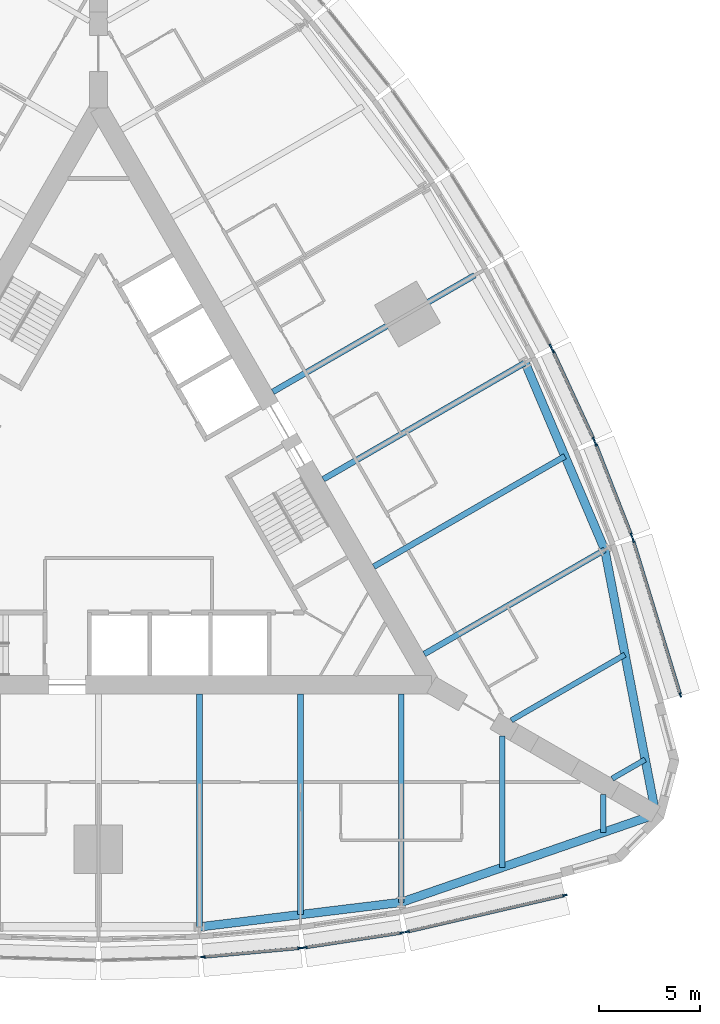
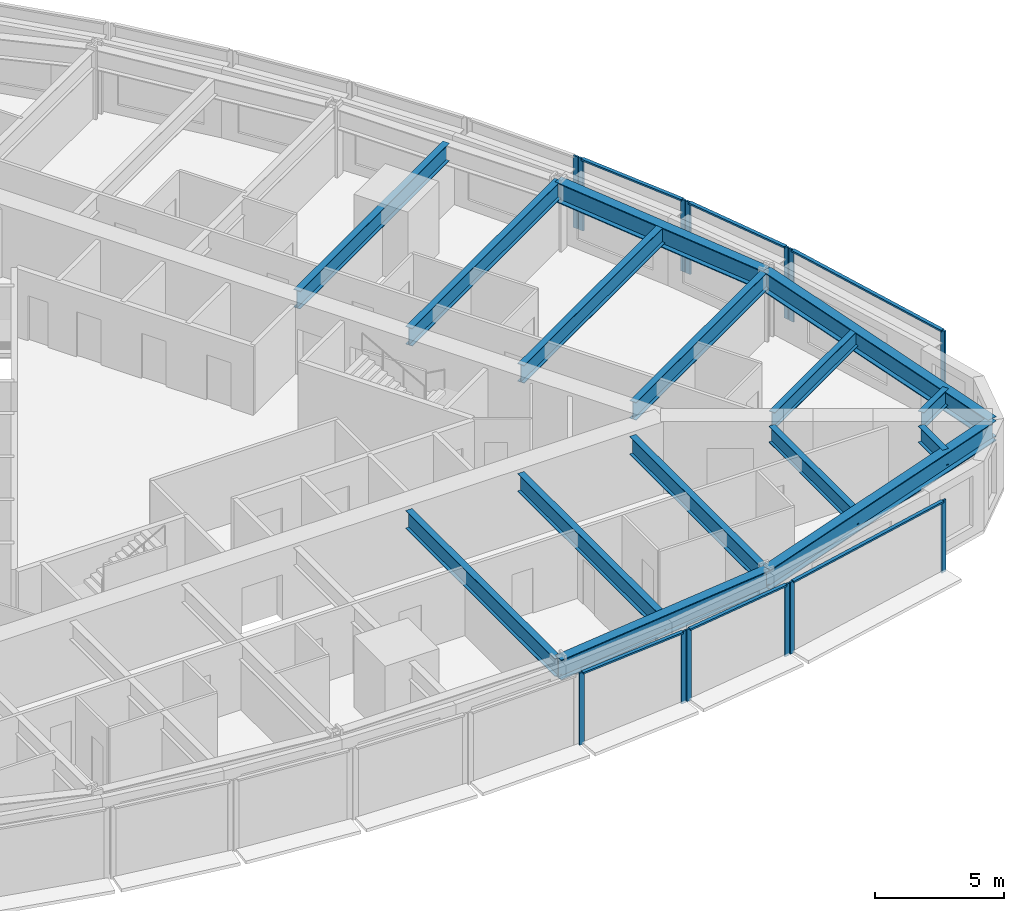
# One storey, part 3 of 14: 19 members, 15 beams, 7 elements without a shape of their own.
"""IFC4 building model written with IfcOpenShell, lengths in metres."""

from ifc_helpers import new_model, si_unit, direction, frame, origin, origin_2d, place, context, subcontext, project, spatial, rectangle, i_section, extrude, material, material_profile, profile_set, type_object, element, aggregate, save


model = new_model("IFC4")

# Units and contexts
model_context = context("Model", 3, precision=1e-05, world=origin(), true_north=direction((0.0, 1.0)))
body_context = subcontext(model_context, "Body", "Model", "MODEL_VIEW")
ifc_project = project(units=[si_unit("LENGTHUNIT", "METRE"), si_unit("AREAUNIT", "SQUARE_METRE"), si_unit("VOLUMEUNIT", "CUBIC_METRE"), si_unit("PLANEANGLEUNIT", "RADIAN"), si_unit("MASSUNIT", "GRAM", prefix="KILO")], contexts=[model_context])

# Site, building, storey
site_placement = place(None, origin())
site = spatial("IfcSite", under=ifc_project, at=site_placement, CompositionType="ELEMENT")
building_placement = place(site_placement, origin())
building = spatial("IfcBuilding", under=site, at=building_placement, Name="Trikona Tower", CompositionType="ELEMENT")
storey_placement = place(building_placement, frame((0.0, 0.0, 62.5)))
storey = spatial("IfcBuildingStorey", under=building, at=storey_placement, Name="L15", CompositionType="ELEMENT", Elevation=62.5)

# Curtain wall, members
ifc_material_1 = material(Name="Aluminium curtain wall system", Category="aluminium")
curtain_wall_type = type_object("IfcCurtainWallType", Name="Curtain wall DS1", PredefinedType="NOTDEFINED", material=ifc_material_1)
curtain_wall_1_placement = place(storey_placement, origin())
curtain_wall_1 = element("IfcCurtainWall", 1, at=curtain_wall_1_placement, inside=storey, type_object=curtain_wall_type, Name="Curtain wall DS1 L15", PredefinedType="NOTDEFINED")
ifc_material_2 = material(Name="Aluminium mullion, pale anodised", Category="aluminium")
ifc_material_profile_1 = material_profile(ifc_material_2, rectangle(XDim=0.080078125, YDim=0.219970703125, at=origin_2d()), Name="MUL-DS1")
ifc_profile_set_1 = profile_set([ifc_material_profile_1], Name="Aluminium mullion, pale anodised")
member_type_1 = type_object("IfcMemberType", Name="Mullion DS1 80x220", PredefinedType="MULLION", material=ifc_profile_set_1)
member_1_placement = place(storey_placement, frame((5.181396484375, -23.007568359375, 0.0), z_axis=(0.0, 0.0, 1.0), x_axis=(-0.090923932737, 0.995857840485, 0.0)))
member_1 = element("IfcMember", 2, at=member_1_placement, type_object=member_type_1, Name="CW-DS1 mullion 1", PredefinedType="MULLION", context=body_context, shape_type="SweptSolid", body=[
    extrude(rectangle(XDim=0.080078125, YDim=0.219970703125, at=origin_2d()), origin(), (0.0, 0.0, 1.0), 3.39990234375),
])
member_2_placement = place(storey_placement, frame((9.982177734375, -22.5693359375, 0.0), z_axis=(0.0, 0.0, 1.0), x_axis=(-0.090923932737, 0.995857840485, 0.0)))
member_2 = element("IfcMember", 3, at=member_2_placement, type_object=member_type_1, Name="CW-DS1 mullion 2", PredefinedType="MULLION", context=body_context, shape_type="SweptSolid", body=[
    extrude(rectangle(XDim=0.080078125, YDim=0.219970703125, at=origin_2d()), origin(), (0.0, 0.0, 1.0), 3.39990234375),
])

curtain_wall_2_placement = place(storey_placement, origin())
curtain_wall_2 = element("IfcCurtainWall", 4, at=curtain_wall_2_placement, inside=storey, type_object=curtain_wall_type, Name="Curtain wall DS1 L15", PredefinedType="NOTDEFINED")
member_3_placement = place(storey_placement, frame((10.234130859375, -22.53857421875, 0.0), z_axis=(0.0, 0.0, 1.0), x_axis=(-0.150437693845, 0.988619492156, 0.0)))
member_3 = element("IfcMember", 5, at=member_3_placement, type_object=member_type_1, Name="CW-DS1 mullion 1", PredefinedType="MULLION", context=body_context, shape_type="SweptSolid", body=[
    extrude(rectangle(XDim=0.080078125, YDim=0.219970703125, at=origin_2d()), origin(), (0.0, 0.0, 1.0), 3.39990234375),
])
member_4_placement = place(storey_placement, frame((15.03662109375, -21.807861328125, 0.0), z_axis=(0.0, 0.0, 1.0), x_axis=(-0.150437693845, 0.988619492156, 0.0)))
member_4 = element("IfcMember", 6, at=member_4_placement, type_object=member_type_1, Name="CW-DS1 mullion 2", PredefinedType="MULLION", context=body_context, shape_type="SweptSolid", body=[
    extrude(rectangle(XDim=0.080078125, YDim=0.219970703125, at=origin_2d()), origin(), (0.0, 0.0, 1.0), 3.39990234375),
])

curtain_wall_3_placement = place(storey_placement, origin())
curtain_wall_3 = element("IfcCurtainWall", 7, at=curtain_wall_3_placement, inside=storey, type_object=curtain_wall_type, Name="Curtain wall DS1 L15", PredefinedType="NOTDEFINED")
member_5_placement = place(storey_placement, frame((15.30029296875, -21.75732421875, 0.0), z_axis=(0.0, 0.0, 1.0), x_axis=(-0.225343288756, 0.974279427173, 0.0)))
member_5 = element("IfcMember", 8, at=member_5_placement, type_object=member_type_1, Name="CW-DS1 mullion 1", PredefinedType="MULLION", context=body_context, shape_type="SweptSolid", body=[
    extrude(rectangle(XDim=0.080078125, YDim=0.219970703125, at=origin_2d()), origin(), (0.0, 0.0, 1.0), 3.39990234375),
])
member_6_placement = place(storey_placement, frame((23.10546875, -19.951904296875, 0.0), z_axis=(0.0, 0.0, 1.0), x_axis=(-0.225343288756, 0.974279427173, 0.0)))
member_6 = element("IfcMember", 9, at=member_6_placement, type_object=member_type_1, Name="CW-DS1 mullion 2", PredefinedType="MULLION", context=body_context, shape_type="SweptSolid", body=[
    extrude(rectangle(XDim=0.080078125, YDim=0.219970703125, at=origin_2d()), origin(), (0.0, 0.0, 1.0), 3.39990234375),
])

curtain_wall_4_placement = place(storey_placement, origin())
curtain_wall_4 = element("IfcCurtainWall", 10, at=curtain_wall_4_placement, inside=storey, type_object=curtain_wall_type, Name="Curtain wall DS1 L15", PredefinedType="NOTDEFINED")
member_7_placement = place(storey_placement, frame((28.83154296875, -10.033935546875, 0.0), z_axis=(0.0, 0.0, 1.0), x_axis=(-0.956423115383, -0.291984287868, 0.0)))
member_7 = element("IfcMember", 11, at=member_7_placement, type_object=member_type_1, Name="CW-DS1 mullion 1", PredefinedType="MULLION", context=body_context, shape_type="SweptSolid", body=[
    extrude(rectangle(XDim=0.080078125, YDim=0.219970703125, at=origin_2d()), origin(), (0.0, 0.0, 1.0), 3.39990234375),
])
member_8_placement = place(storey_placement, frame((26.492431640625, -2.371826171875, 0.0), z_axis=(0.0, 0.0, 1.0), x_axis=(-0.956423115383, -0.291984287868, 0.0)))
member_8 = element("IfcMember", 12, at=member_8_placement, type_object=member_type_1, Name="CW-DS1 mullion 2", PredefinedType="MULLION", context=body_context, shape_type="SweptSolid", body=[
    extrude(rectangle(XDim=0.080078125, YDim=0.219970703125, at=origin_2d()), origin(), (0.0, 0.0, 1.0), 3.39990234375),
])

curtain_wall_5_placement = place(storey_placement, origin())
curtain_wall_5 = element("IfcCurtainWall", 13, at=curtain_wall_5_placement, inside=storey, type_object=curtain_wall_type, Name="Curtain wall DS1 L15", PredefinedType="NOTDEFINED")
member_9_placement = place(storey_placement, frame((26.404296875, -2.1181640625, 0.0), z_axis=(0.0, 0.0, 1.0), x_axis=(-0.931395989443, -0.36400756977, 0.0)))
member_9 = element("IfcMember", 14, at=member_9_placement, type_object=member_type_1, Name="CW-DS1 mullion 1", PredefinedType="MULLION", context=body_context, shape_type="SweptSolid", body=[
    extrude(rectangle(XDim=0.080078125, YDim=0.219970703125, at=origin_2d()), origin(), (0.0, 0.0, 1.0), 3.39990234375),
])
member_10_placement = place(storey_placement, frame((24.63623046875, 2.40625, 0.0), z_axis=(0.0, 0.0, 1.0), x_axis=(-0.931395989443, -0.36400756977, 0.0)))
member_10 = element("IfcMember", 15, at=member_10_placement, type_object=member_type_1, Name="CW-DS1 mullion 2", PredefinedType="MULLION", context=body_context, shape_type="SweptSolid", body=[
    extrude(rectangle(XDim=0.080078125, YDim=0.219970703125, at=origin_2d()), origin(), (0.0, 0.0, 1.0), 3.39990234375),
])

curtain_wall_6_placement = place(storey_placement, origin())
curtain_wall_6 = element("IfcCurtainWall", 16, at=curtain_wall_6_placement, inside=storey, type_object=curtain_wall_type, Name="Curtain wall DS1 L15", PredefinedType="NOTDEFINED")
member_11_placement = place(storey_placement, frame((24.53662109375, 2.6396484375, 0.0), z_axis=(0.0, 0.0, 1.0), x_axis=(-0.907898459992, -0.419190155352, 0.0)))
member_11 = element("IfcMember", 17, at=member_11_placement, type_object=member_type_1, Name="CW-DS1 mullion 1", PredefinedType="MULLION", context=body_context, shape_type="SweptSolid", body=[
    extrude(rectangle(XDim=0.080078125, YDim=0.219970703125, at=origin_2d()), origin(), (0.0, 0.0, 1.0), 3.39990234375),
])
member_12_placement = place(storey_placement, frame((22.515869140625, 7.0166015625, 0.0), z_axis=(0.0, 0.0, 1.0), x_axis=(-0.907898459992, -0.419190155352, 0.0)))
member_12 = element("IfcMember", 18, at=member_12_placement, type_object=member_type_1, Name="CW-DS1 mullion 2", PredefinedType="MULLION", context=body_context, shape_type="SweptSolid", body=[
    extrude(rectangle(XDim=0.080078125, YDim=0.219970703125, at=origin_2d()), origin(), (0.0, 0.0, 1.0), 3.39990234375),
])

# Curtain wall, member
curtain_wall_7_placement = place(storey_placement, origin())
curtain_wall_7 = element("IfcCurtainWall", 19, at=curtain_wall_7_placement, inside=storey, type_object=curtain_wall_type, Name="Curtain wall DS1 L15", PredefinedType="NOTDEFINED")
member_13_placement = place(storey_placement, frame((22.402099609375, 7.244140625, 0.0), z_axis=(0.0, 0.0, 1.0), x_axis=(-0.880843080975, -0.473408350896, 0.0)))
member_13 = element("IfcMember", 20, at=member_13_placement, type_object=member_type_1, Name="CW-DS1 mullion 1", PredefinedType="MULLION", context=body_context, shape_type="SweptSolid", body=[
    extrude(rectangle(XDim=0.080078125, YDim=0.219970703125, at=origin_2d()), origin(), (0.0, 0.0, 1.0), 3.39990234375),
])
aggregate(curtain_wall_7, [member_13])

# Beams
ifc_material_3 = material(Name="Steel ASTM A992 Grade 50", Category="steel")
ifc_material_profile_2 = material_profile(ifc_material_3, i_section(OverallWidth=0.2666015625, OverallDepth=0.76953125, WebThickness=0.015625, FlangeThickness=0.025390625, at=origin_2d()), Name="W30X132")
ifc_profile_set_2 = profile_set([ifc_material_profile_2], Name="Steel ASTM A992 Grade 50")
beam_type_1 = type_object("IfcBeamType", Name="Steel beam W30x132 (wedge)", PredefinedType="BEAM", material=ifc_profile_set_2)
beam_1_placement = place(storey_placement, frame((20.0, -12.066650390625, 2.85009765625), z_axis=(0.0, -1.0, 0.0), x_axis=(1.0, 0.0, 0.0)))
element("IfcBeam", 21, at=beam_1_placement, inside=storey, type_object=beam_type_1, Name="Floor beam L16 F1 u20", PredefinedType="BEAM", context=body_context, shape_type="SweptSolid", body=[
    extrude(i_section(OverallWidth=0.2666015625, OverallDepth=0.76953125, WebThickness=0.015625, FlangeThickness=0.025390625, at=origin_2d()), origin(), (0.0, 0.0, 1.0), 6.5068359375),
])
for number, where, z_axis, x_axis, name in (
    (22, (25.0, -14.953369140625, 2.85009765625), (0.0, -1.0, 0.0), (1.0, 0.0, 0.0), "Floor beam L16 F1 u25"),
    (23, (25.449951171875, -14.173828125, 2.85009765625), (0.866065156741, 0.499931139538, 0.0), (-0.499931139538, 0.866065156741, 0.0), "Floor beam L16 F2 u-25"),
):
    element("IfcBeam", number, at=place(storey_placement, frame(where, z_axis=z_axis, x_axis=x_axis)), inside=storey, type_object=beam_type_1, Name=name, PredefinedType="BEAM", context=body_context, shape_type="SweptSolid", body=[
        extrude(i_section(OverallWidth=0.2666015625, OverallDepth=0.76953125, WebThickness=0.015625, FlangeThickness=0.025390625, at=origin_2d()), origin(), (0.0, 0.0, 1.0), 1.890380859375),
    ])
beam_2_placement = place(storey_placement, frame((20.449951171875, -11.287109375, 2.85009765625), z_axis=(0.866022504693, 0.50000502134, 0.0), x_axis=(-0.50000502134, 0.866022504693, 0.0)))
element("IfcBeam", 24, at=beam_2_placement, inside=storey, type_object=beam_type_1, Name="Floor beam L16 F2 u-20", PredefinedType="BEAM", context=body_context, shape_type="SweptSolid", body=[
    extrude(i_section(OverallWidth=0.2666015625, OverallDepth=0.76953125, WebThickness=0.015625, FlangeThickness=0.025390625, at=origin_2d()), origin(), (0.0, 0.0, 1.0), 6.5068359375),
])
ifc_material_4 = material(Name="Steel ASTM A992 Grade 50", Category="steel")
ifc_material_profile_3 = material_profile(ifc_material_4, i_section(OverallWidth=0.2919921875, OverallDepth=0.845703125, WebThickness=0.015380859375, FlangeThickness=0.0244140625, at=origin_2d()), Name="W33X141")
ifc_profile_set_3 = profile_set([ifc_material_profile_3], Name="Steel ASTM A992 Grade 50")
beam_type_2 = type_object("IfcBeamType", Name="Steel beam W33x141 (radial typ)", PredefinedType="BEAM", material=ifc_profile_set_3)
beam_3_placement = place(storey_placement, frame((5.0, -9.976318359375, 2.81201171875), z_axis=(0.0, -1.0, 0.0), x_axis=(1.0, 0.0, 0.0)))
element("IfcBeam", 25, at=beam_3_placement, inside=storey, type_object=beam_type_2, Name="Floor beam L16 F1 u5", PredefinedType="BEAM", context=body_context, shape_type="SweptSolid", body=[
    extrude(i_section(OverallWidth=0.2919921875, OverallDepth=0.845703125, WebThickness=0.015380859375, FlangeThickness=0.0244140625, at=origin_2d()), origin(), (0.0, 0.0, 1.0), 11.544189453125),
])
beam_4_placement = place(storey_placement, frame((10.0, -9.976318359375, 2.81201171875), z_axis=(0.0, -1.0, 0.0), x_axis=(1.0, 0.0, 0.0)))
element("IfcBeam", 26, at=beam_4_placement, inside=storey, type_object=beam_type_2, Name="Floor beam L16 F1 u10", PredefinedType="BEAM", context=body_context, shape_type="SweptSolid", body=[
    extrude(i_section(OverallWidth=0.2919921875, OverallDepth=0.845703125, WebThickness=0.015380859375, FlangeThickness=0.0244140625, at=origin_2d()), origin(), (0.0, 0.0, 1.0), 10.935302734375),
])
beam_5_placement = place(storey_placement, frame((15.0, -9.976318359375, 2.81201171875), z_axis=(0.0, -1.0, 0.0), x_axis=(1.0, 0.0, 0.0)))
element("IfcBeam", 27, at=beam_5_placement, inside=storey, type_object=beam_type_2, Name="Floor beam L16 F1 u15", PredefinedType="BEAM", context=body_context, shape_type="SweptSolid", body=[
    extrude(i_section(OverallWidth=0.2919921875, OverallDepth=0.845703125, WebThickness=0.015380859375, FlangeThickness=0.0244140625, at=origin_2d()), origin(), (0.0, 0.0, 1.0), 10.32666015625),
])
beam_6_placement = place(storey_placement, frame((16.1396484375, -8.002197265625, 2.81201171875), z_axis=(0.866030471684, 0.499991222037, 0.0), x_axis=(-0.499991222037, 0.866030471684, 0.0)))
element("IfcBeam", 28, at=beam_6_placement, inside=storey, type_object=beam_type_2, Name="Floor beam L16 F2 u-15", PredefinedType="BEAM", context=body_context, shape_type="SweptSolid", body=[
    extrude(i_section(OverallWidth=0.2919921875, OverallDepth=0.845703125, WebThickness=0.015380859375, FlangeThickness=0.0244140625, at=origin_2d()), origin(), (0.0, 0.0, 1.0), 10.326904296875),
])
beam_7_placement = place(storey_placement, frame((13.6396484375, -3.672119140625, 2.81201171875), z_axis=(0.866025348605, 0.500000095573, 0.0), x_axis=(-0.500000095573, 0.866025348605, 0.0)))
element("IfcBeam", 29, at=beam_7_placement, inside=storey, type_object=beam_type_2, Name="Floor beam L16 F2 u-10", PredefinedType="BEAM", context=body_context, shape_type="SweptSolid", body=[
    extrude(i_section(OverallWidth=0.2919921875, OverallDepth=0.845703125, WebThickness=0.015380859375, FlangeThickness=0.0244140625, at=origin_2d()), origin(), (0.0, 0.0, 1.0), 10.935546875),
])
for number, where, z_axis, x_axis, name in (
    (30, (11.1396484375, 0.657958984375, 2.81201171875), (0.866020765707, 0.500008033299, 0.0), (-0.500008033299, 0.866020765707, 0.0), "Floor beam L16 F2 u-5"),
    (31, (8.6396484375, 4.988037109375, 2.81201171875), (0.866020765707, 0.500008033299, 0.0), (-0.500008033299, 0.866020765707, 0.0), "Floor beam L16 F2 u0"),
):
    element("IfcBeam", number, at=place(storey_placement, frame(where, z_axis=z_axis, x_axis=x_axis)), inside=storey, type_object=beam_type_2, Name=name, PredefinedType="BEAM", context=body_context, shape_type="SweptSolid", body=[
        extrude(i_section(OverallWidth=0.2919921875, OverallDepth=0.845703125, WebThickness=0.015380859375, FlangeThickness=0.0244140625, at=origin_2d()), origin(), (0.0, 0.0, 1.0), 11.544189453125),
    ])
ifc_material_5 = material(Name="Steel ASTM A992 Grade 50", Category="steel")
ifc_material_profile_4 = material_profile(ifc_material_5, i_section(OverallWidth=0.424072265625, OverallDepth=0.947509765625, WebThickness=0.02392578125, FlangeThickness=0.042724609375, at=origin_2d()), Name="W36X302")
ifc_profile_set_4 = profile_set([ifc_material_profile_4], Name="Steel ASTM A992 Grade 50")
beam_type_3 = type_object("IfcBeamType", Name="Steel beam W36x302 (spandrel)", PredefinedType="SPANDREL", material=ifc_profile_set_4)
beam_8_placement = place(storey_placement, frame((5.0, -21.5205078125, 2.76123046875), z_axis=(0.99266951126, 0.120860421207, 0.0), x_axis=(-0.120860421207, 0.99266951126, 0.0)))
element("IfcBeam", 32, at=beam_8_placement, inside=storey, type_object=beam_type_3, Name="Spandrel beam L16 F1-4", PredefinedType="SPANDREL", context=body_context, shape_type="SweptSolid", body=[
    extrude(i_section(OverallWidth=0.424072265625, OverallDepth=0.947509765625, WebThickness=0.02392578125, FlangeThickness=0.042724609375, at=origin_2d()), origin(), (0.0, 0.0, 1.0), 10.07373046875),
])
for number, where, z_axis, x_axis, name in (
    (33, (15.0, -20.302978515625, 2.76123046875), (0.945056965739, 0.326905692071, 0.0), (-0.326905692071, 0.945056965739, 0.0), "Spandrel beam L16 F1-5"),
    (34, (27.6103515625, -15.94091796875, 2.76123046875), (-0.189405184036, 0.981899015307, 0.0), (-0.981899015307, -0.189405184036, 0.0), "Spandrel beam L16 F2-1"),
):
    element("IfcBeam", number, at=place(storey_placement, frame(where, z_axis=z_axis, x_axis=x_axis)), inside=storey, type_object=beam_type_3, Name=name, PredefinedType="SPANDREL", context=body_context, shape_type="SweptSolid", body=[
        extrude(i_section(OverallWidth=0.424072265625, OverallDepth=0.947509765625, WebThickness=0.02392578125, FlangeThickness=0.042724609375, at=origin_2d()), origin(), (0.0, 0.0, 1.0), 13.343505859375),
    ])
beam_9_placement = place(storey_placement, frame((25.0830078125, -2.8388671875, 2.76123046875), z_axis=(-0.391683514847, 0.920100007715, 0.0), x_axis=(-0.920100007715, -0.391683514847, 0.0)))
element("IfcBeam", 35, at=beam_9_placement, inside=storey, type_object=beam_type_3, Name="Spandrel beam L16 F2-2", PredefinedType="SPANDREL", context=body_context, shape_type="SweptSolid", body=[
    extrude(i_section(OverallWidth=0.424072265625, OverallDepth=0.947509765625, WebThickness=0.02392578125, FlangeThickness=0.042724609375, at=origin_2d()), origin(), (0.0, 0.0, 1.0), 10.073974609375),
])

# Member
ifc_material_6 = material(Name="Aluminium transom, pale anodised", Category="aluminium")
ifc_material_profile_5 = material_profile(ifc_material_6, rectangle(XDim=0.159912109375, YDim=0.080078125, at=origin_2d()), Name="TRN-DS1")
ifc_profile_set_5 = profile_set([ifc_material_profile_5], Name="Aluminium transom, pale anodised")
member_type_2 = type_object("IfcMemberType", Name="Transom DS1 80x160", PredefinedType="USERDEFINED", material=ifc_profile_set_5)
member_14_placement = place(storey_placement, frame((5.22119140625, -23.00390625, 3.360107421875), z_axis=(0.995855977008, 0.090944340438, 0.0), x_axis=(-0.090944340438, 0.995855977008, 0.0)))
member_14 = element("IfcMember", 36, at=member_14_placement, type_object=member_type_2, Name="CW-DS1 transom 1.1", ObjectType="TRANSOM", PredefinedType="USERDEFINED", context=body_context, shape_type="SweptSolid", body=[
    extrude(rectangle(XDim=0.159912109375, YDim=0.080078125, at=origin_2d()), origin(), (0.0, 0.0, 1.0), 4.74072265625),
])

aggregate(curtain_wall_1, [member_1, member_2, member_14])

member_15_placement = place(storey_placement, frame((10.273681640625, -22.532470703125, 3.360107421875), z_axis=(0.988619663412, 0.150436568413, 0.0), x_axis=(-0.150436568413, 0.988619663412, 0.0)))
member_15 = element("IfcMember", 37, at=member_15_placement, type_object=member_type_2, Name="CW-DS1 transom 1.1", ObjectType="TRANSOM", PredefinedType="USERDEFINED", context=body_context, shape_type="SweptSolid", body=[
    extrude(rectangle(XDim=0.159912109375, YDim=0.080078125, at=origin_2d()), origin(), (0.0, 0.0, 1.0), 4.77783203125),
])

aggregate(curtain_wall_2, [member_3, member_4, member_15])

member_16_placement = place(storey_placement, frame((15.33935546875, -21.748291015625, 3.360107421875), z_axis=(0.974275371842, 0.225360821398, 0.0), x_axis=(-0.225360821398, 0.974275371842, 0.0)))
member_16 = element("IfcMember", 38, at=member_16_placement, type_object=member_type_2, Name="CW-DS1 transom 1.1", ObjectType="TRANSOM", PredefinedType="USERDEFINED", context=body_context, shape_type="SweptSolid", body=[
    extrude(rectangle(XDim=0.159912109375, YDim=0.080078125, at=origin_2d()), origin(), (0.0, 0.0, 1.0), 7.93115234375),
])

aggregate(curtain_wall_3, [member_5, member_6, member_16])

member_17_placement = place(storey_placement, frame((28.81982421875, -9.99560546875, 3.360107421875), z_axis=(-0.291967490203, 0.956428243343, 0.0), x_axis=(-0.956428243343, -0.291967490203, 0.0)))
member_17 = element("IfcMember", 39, at=member_17_placement, type_object=member_type_2, Name="CW-DS1 transom 1.1", ObjectType="TRANSOM", PredefinedType="USERDEFINED", context=body_context, shape_type="SweptSolid", body=[
    extrude(rectangle(XDim=0.159912109375, YDim=0.080078125, at=origin_2d()), origin(), (0.0, 0.0, 1.0), 7.93115234375),
])

aggregate(curtain_wall_4, [member_7, member_8, member_17])

member_18_placement = place(storey_placement, frame((26.389892578125, -2.080810546875, 3.360107421875), z_axis=(-0.364048647668, 0.931379934362, 0.0), x_axis=(-0.931379934362, -0.364048647668, 0.0)))
member_18 = element("IfcMember", 40, at=member_18_placement, type_object=member_type_2, Name="CW-DS1 transom 1.1", ObjectType="TRANSOM", PredefinedType="USERDEFINED", context=body_context, shape_type="SweptSolid", body=[
    extrude(rectangle(XDim=0.159912109375, YDim=0.080078125, at=origin_2d()), origin(), (0.0, 0.0, 1.0), 4.777587890625),
])

aggregate(curtain_wall_5, [member_9, member_10, member_18])

member_19_placement = place(storey_placement, frame((24.52001953125, 2.676025390625, 3.360107421875), z_axis=(-0.419188800665, 0.90789908547, 0.0), x_axis=(-0.90789908547, -0.419188800665, 0.0)))
member_19 = element("IfcMember", 41, at=member_19_placement, type_object=member_type_2, Name="CW-DS1 transom 1.1", ObjectType="TRANSOM", PredefinedType="USERDEFINED", context=body_context, shape_type="SweptSolid", body=[
    extrude(rectangle(XDim=0.159912109375, YDim=0.080078125, at=origin_2d()), origin(), (0.0, 0.0, 1.0), 4.74072265625),
])

aggregate(curtain_wall_6, [member_11, member_12, member_19])

save(model, "model.ifc")
